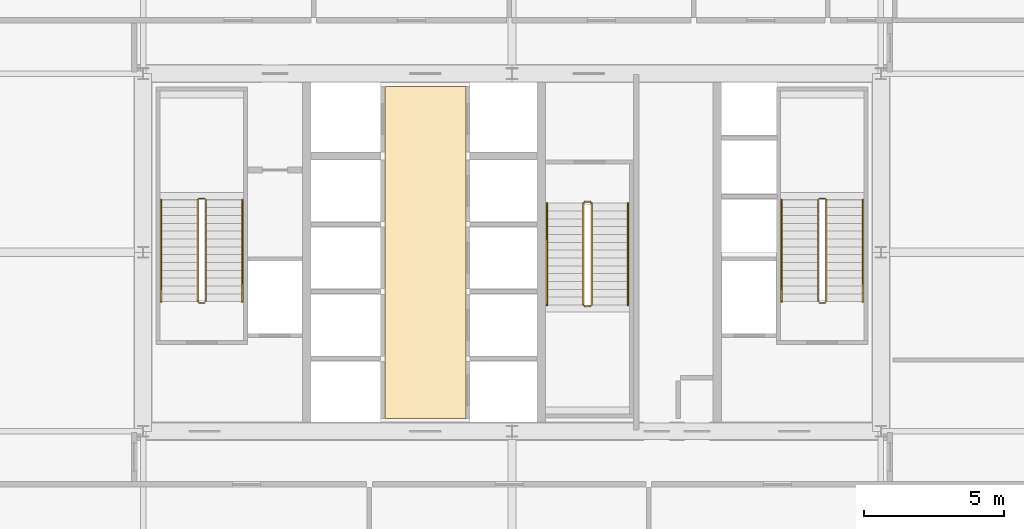
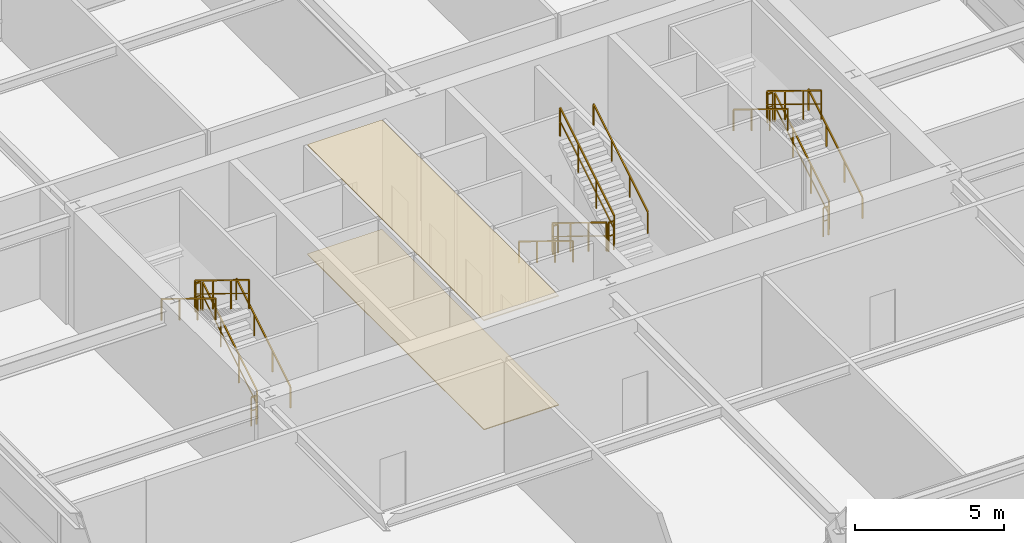
# One storey, part 34 of 34: 18 railings, 2 coverings.
"""IFC4 building model written with IfcOpenShell, lengths in metres."""

import ifcopenshell
import ifcopenshell.guid

model = None  # the IFC model being written
_history = None  # IfcOwnerHistory: only IFC2X3 demands one
_inside = {}  # id of a spatial element -> (the spatial element, [elements in it])
_under = {}  # id of a project, library or spatial element -> (it, [spatial elements below it])
_declared = {}  # id of a project -> (the project, [libraries it declares])
_typed = {}  # id of a type object -> (the type object, [elements of that type])
_made_of = {}  # id of a material, layer set ... -> (it, [elements and type objects made of it])


def new_model(schema):
    """Start an empty IFC model of exactly this schema.

    Asked for "IFC4X3", IfcOpenShell would pick the latest addendum, in which some entities
    have other attributes; the version numbers below select the first issue.
    IFC2X3 requires an IfcOwnerHistory on every rooted entity: one is made here for all.
    """
    global model, _history
    if schema == "IFC4X3":
        model = ifcopenshell.file(schema_version=(4, 3, 0, 0))
    else:
        model = ifcopenshell.file(schema=schema)
    _inside.clear()
    _under.clear()
    _declared.clear()
    _typed.clear()
    _made_of.clear()
    _history = None
    if model.schema == "IFC2X3":
        org = make("IfcOrganization", Name="unknown")
        user = make(
            "IfcPersonAndOrganization",
            ThePerson=make("IfcPerson", FamilyName="unknown"),
            TheOrganization=org,
        )
        app = make(
            "IfcApplication",
            ApplicationDeveloper=org,
            Version="unknown",
            ApplicationFullName="unknown",
            ApplicationIdentifier="unknown",
        )
        _history = make(
            "IfcOwnerHistory",
            OwningUser=user,
            OwningApplication=app,
            ChangeAction="ADDED",
            CreationDate=0,
        )
    return model


def make(cls, **values):
    """One entity of the class cls with the attributes given. An attribute that is None is left unset."""
    return model.create_entity(
        cls, **{name: value for name, value in values.items() if value is not None}
    )


def rooted(cls, **values):
    """An entity with a GlobalId (a new one), such as an element, a storey or a relation."""
    return make(cls, GlobalId=ifcopenshell.guid.new(), OwnerHistory=_history, **values)


def si_unit(unit_type, name, prefix=None):
    """IfcSIUnit, for example si_unit("LENGTHUNIT", "METRE", prefix="MILLI")."""
    return make("IfcSIUnit", UnitType=unit_type, Prefix=prefix, Name=name)


def assignment(units):
    """IfcUnitAssignment: the units of a project."""
    return None if units is None else make("IfcUnitAssignment", Units=units)


def point(xyz):
    """IfcCartesianPoint."""
    return None if xyz is None else make("IfcCartesianPoint", Coordinates=xyz)


def direction(xyz):
    """IfcDirection."""
    return None if xyz is None else make("IfcDirection", DirectionRatios=xyz)


def frame(location, z_axis=None, x_axis=None):
    """IfcAxis2Placement3D, a coordinate frame: its origin and axes. An axis left out is left unset."""
    return make(
        "IfcAxis2Placement3D",
        Location=point(location),
        Axis=direction(z_axis),
        RefDirection=direction(x_axis),
    )


def frame_2d(location, x_axis=None):
    """IfcAxis2Placement2D, a coordinate frame in the plane: its origin and x axis."""
    return make(
        "IfcAxis2Placement2D", Location=point(location), RefDirection=direction(x_axis)
    )


def origin():
    """The frame at (0, 0, 0) with its axes left unset."""
    return frame((0.0, 0.0, 0.0))


def origin_2d():
    """The frame at (0, 0) in the plane with its x axis left unset."""
    return frame_2d((0.0, 0.0))


def place(relative_to, where):
    """IfcLocalPlacement: puts the frame where relative to a parent placement (None: the world)."""
    return make(
        "IfcLocalPlacement", PlacementRelTo=relative_to, RelativePlacement=where
    )


def context(
    kind, dimensions, precision=None, world=None, true_north=None, identifier=None
):
    """IfcGeometricRepresentationContext, for example the 3D "Model" context."""
    return make(
        "IfcGeometricRepresentationContext",
        ContextIdentifier=identifier,
        ContextType=kind,
        CoordinateSpaceDimension=dimensions,
        Precision=precision,
        WorldCoordinateSystem=world,
        TrueNorth=true_north,
    )


def subcontext(parent, identifier, kind, view, scale=None):
    """IfcGeometricRepresentationSubContext, for example "Body" below "Model"."""
    return make(
        "IfcGeometricRepresentationSubContext",
        ContextIdentifier=identifier,
        ContextType=kind,
        ParentContext=parent,
        TargetScale=scale,
        TargetView=view,
    )


def project(units=None, contexts=None):
    """IfcProject with its units and contexts."""
    return rooted(
        "IfcProject",
        Name="project",
        RepresentationContexts=contexts,
        UnitsInContext=assignment(units),
    )


def spatial(cls, under=None, at=None, **own):
    """A site, building, storey or space (cls), placed at a placement, below another one or the project."""
    s = rooted(cls, ObjectPlacement=at, **own)
    if under is not None:
        _under.setdefault(under.id(), (under, []))[1].append(s)
    return s


def polyline(points):
    """IfcPolyline through the points."""
    return make("IfcPolyline", Points=[point(p) for p in points])


def profile(cls, at=None, kind="AREA", **sizes):
    """A parametric profile (cls). Its sizes go by their IFC names, for example OverallWidth=200.0."""
    return make(cls, ProfileType=kind, Position=at, **sizes)


def rectangle(**sizes):
    """IfcRectangleProfileDef."""
    return profile("IfcRectangleProfileDef", **sizes)


def outline(outer, holes=None, kind="AREA"):
    """IfcArbitraryClosedProfileDef: a profile drawn as a closed curve; with holes, ...WithVoids."""
    if holes is None:
        return make("IfcArbitraryClosedProfileDef", ProfileType=kind, OuterCurve=outer)
    return make(
        "IfcArbitraryProfileDefWithVoids",
        ProfileType=kind,
        OuterCurve=outer,
        InnerCurves=holes,
    )


def extrude(swept, where, along, depth):
    """IfcExtrudedAreaSolid: the profile swept, set in the frame where, extruded along a direction by depth."""
    return make(
        "IfcExtrudedAreaSolid",
        SweptArea=swept,
        Position=where,
        ExtrudedDirection=direction(along),
        Depth=depth,
    )


def shape(context_of_items, identifier, shape_type, items):
    """IfcShapeRepresentation: the items that make up one representation, for example the "Body"."""
    return make(
        "IfcShapeRepresentation",
        ContextOfItems=context_of_items,
        RepresentationIdentifier=identifier,
        RepresentationType=shape_type,
        Items=items,
    )


def source(mapping_origin, context_of_items, identifier, shape_type, items):
    """IfcRepresentationMap: a shape defined once, which mapped items show again and again."""
    return make(
        "IfcRepresentationMap",
        MappingOrigin=mapping_origin,
        MappedRepresentation=shape(context_of_items, identifier, shape_type, items),
    )


def transform(
    local_origin,
    x_axis=None,
    y_axis=None,
    z_axis=None,
    scale=None,
    scale2=None,
    scale3=None,
    uniform=True,
):
    """IfcCartesianTransformationOperator3D, or its non-uniform kind. x_axis, y_axis, z_axis: its Axis1, 2, 3."""
    if uniform:
        return make(
            "IfcCartesianTransformationOperator3D",
            Axis1=direction(x_axis),
            Axis2=direction(y_axis),
            LocalOrigin=point(local_origin),
            Scale=scale,
            Axis3=direction(z_axis),
        )
    return make(
        "IfcCartesianTransformationOperator3DnonUniform",
        Axis1=direction(x_axis),
        Axis2=direction(y_axis),
        LocalOrigin=point(local_origin),
        Scale=scale,
        Axis3=direction(z_axis),
        Scale2=scale2,
        Scale3=scale3,
    )


def mapped(mapping_source, mapping_target):
    """IfcMappedItem: shows the shape of a source again, moved by a transform."""
    return make(
        "IfcMappedItem", MappingSource=mapping_source, MappingTarget=mapping_target
    )


def material(Name=None, Category=None):
    """IfcMaterial."""
    return make("IfcMaterial", Name=Name, Category=Category)


def layer(
    of_material, thickness, ventilated=None, Name=None, Category=None, Priority=None
):
    """IfcMaterialLayer: one layer of a wall or slab, of a material (None: an air gap)."""
    return make(
        "IfcMaterialLayer",
        Material=of_material,
        LayerThickness=thickness,
        IsVentilated=ventilated,
        Name=Name,
        Category=Category,
        Priority=Priority,
    )


def layer_set(layers, Name=None):
    """IfcMaterialLayerSet."""
    return make("IfcMaterialLayerSet", MaterialLayers=layers, LayerSetName=Name)


def made_of(thing, what):
    """Note that an element or type object is made of a material, layer set ...; save() writes the relation."""
    if what is not None:
        _made_of.setdefault(what.id(), (what, []))[1].append(thing)
    return thing


def type_object(cls, material=None, **own):
    """A type object (cls), such as IfcWallType, which elements share."""
    return made_of(rooted(cls, **own), material)


def element(
    cls,
    number,
    at=None,
    inside=None,
    cuts=None,
    type_object=None,
    material=None,
    context=None,
    identifier="Body",
    shape_type=None,
    held_by="IfcProductDefinitionShape",
    body=None,
    shapes=None,
    **own,
):
    """One element of the class cls, such as IfcWall. Its Tag is "e" and its number.

    at: its placement. inside: the storey or other place that contains it. cuts: it is an
    opening in that element (IfcRelVoidsElement). A single representation is given by context,
    identifier, shape_type and body (its items); several are given by shapes. held_by: the class
    of the entity that holds the representations. save() writes the other relations.
    """
    e = rooted(cls, Tag="e%d" % number, ObjectPlacement=at, **own)
    if body is not None:
        shapes = [shape(context, identifier, shape_type, body)]
    if shapes is not None:
        e.Representation = make(held_by, Representations=shapes)
    if inside is not None:
        _inside.setdefault(inside.id(), (inside, []))[1].append(e)
    if cuts is not None:
        rooted(
            "IfcRelVoidsElement", RelatingBuildingElement=cuts, RelatedOpeningElement=e
        )
    if type_object is not None:
        _typed.setdefault(type_object.id(), (type_object, []))[1].append(e)
    return made_of(e, material)


def aggregate(whole, parts):
    """IfcRelAggregates: a whole, such as a stair, and the parts it consists of."""
    return rooted("IfcRelAggregates", RelatingObject=whole, RelatedObjects=parts)


def save(model, path):
    """Write the relations noted so far, then the file.

    IfcRelAggregates (storeys below a building ...), IfcRelContainedInSpatialStructure (elements
    in a storey), IfcRelDefinesByType, IfcRelAssociatesMaterial and IfcRelDeclares: one each for
    every whole, place, type object, material and project.
    """
    for whole, parts in _under.values():
        aggregate(whole, parts)
    for where, things in _inside.values():
        rooted(
            "IfcRelContainedInSpatialStructure",
            RelatedElements=things,
            RelatingStructure=where,
        )
    for kind, things in _typed.values():
        rooted("IfcRelDefinesByType", RelatedObjects=things, RelatingType=kind)
    for what, things in _made_of.values():
        rooted("IfcRelAssociatesMaterial", RelatedObjects=things, RelatingMaterial=what)
    for by, libraries in _declared.values():
        rooted("IfcRelDeclares", RelatingContext=by, RelatedDefinitions=libraries)
    model.write(path)


model = new_model("IFC4")

# Units and contexts
model_context = context("Model", 3, precision=1e-05, world=origin(), true_north=direction((0.0, 1.0)))
body_context = subcontext(model_context, "Body", "Model", "MODEL_VIEW")
ifc_project = project(units=[si_unit("LENGTHUNIT", "METRE"), si_unit("AREAUNIT", "SQUARE_METRE"), si_unit("VOLUMEUNIT", "CUBIC_METRE"), si_unit("PLANEANGLEUNIT", "RADIAN"), si_unit("MASSUNIT", "GRAM", prefix="KILO"), si_unit("THERMODYNAMICTEMPERATUREUNIT", "KELVIN"), si_unit("POWERUNIT", "WATT")], contexts=[model_context])

# Site, building, storey
site_placement = place(None, origin())
site = spatial("IfcSite", under=ifc_project, at=site_placement, CompositionType="ELEMENT")
building_placement = place(site_placement, origin())
building = spatial("IfcBuilding", under=site, at=building_placement, Name="Yuzanri Waterfront Tower", CompositionType="ELEMENT")
storey_placement = place(building_placement, frame((0.0, 0.0, 171.60009765625)))
storey = spatial("IfcBuildingStorey", under=building, at=storey_placement, Name="L45", CompositionType="ELEMENT", Elevation=171.60009765625)

# Coverings
ifc_material_1 = material(Name="Anodized Architectural Bronze", Category="metal")
ifc_layer_1 = layer(ifc_material_1, 0.0400390625)
ifc_layer_set_1 = layer_set([ifc_layer_1], Name="Anodized Architectural Bronze")
covering_type_1 = type_object("IfcCoveringType", Name="Anodized Bronze Linear Baffle Lobby Ceiling 40", PredefinedType="CEILING", material=ifc_layer_set_1)
covering_1_placement = place(storey_placement, frame((0.0, 0.0, 4.47998046875)))
element("IfcCovering", 1, at=covering_1_placement, inside=storey, type_object=covering_type_1, Name="L45 Lift Lobby Bronze Baffle Ceiling", PredefinedType="CEILING", context=body_context, shape_type="SweptSolid", body=[
    extrude(outline(polyline([(32.449951171875, 19.860107421875), (35.35009765625, 19.860107421875), (35.35009765625, 31.739990234375), (32.449951171875, 31.739990234375), (32.449951171875, 19.860107421875)])), origin(), (0.0, 0.0, 1.0), 0.0400390625),
])
ifc_material_2 = material(Name="Honed Cream Limestone", Category="masonry")
ifc_layer_2 = layer(ifc_material_2, 0.034912109375)
ifc_layer_set_2 = layer_set([ifc_layer_2], Name="Honed Cream Limestone")
covering_type_2 = type_object("IfcCoveringType", Name="Honed Limestone Lobby Floor Finish 35", PredefinedType="FLOORING", material=ifc_layer_set_2)
covering_2_placement = place(storey_placement, origin())
element("IfcCovering", 2, at=covering_2_placement, inside=storey, type_object=covering_type_2, Name="L45 Lift Lobby Limestone Floor Finish", PredefinedType="FLOORING", context=body_context, shape_type="SweptSolid", body=[
    extrude(outline(polyline([(32.449951171875, 19.860107421875), (35.35009765625, 19.860107421875), (35.35009765625, 31.739990234375), (32.449951171875, 31.739990234375), (32.449951171875, 19.860107421875)])), origin(), (0.0, 0.0, 1.0), 0.034912109375),
])

# Railings
ifc_material_3 = material(Name="Painted Galvanized Fire Steel", Category="steel")
ifc_layer_3 = layer(ifc_material_3, 0.06005859375)
ifc_layer_set_3 = layer_set([ifc_layer_3], Name="Painted Galvanized Fire Steel")
railing_type_1 = type_object("IfcRailingType", Name="Painted Steel Stairwell Guardrail 1120", PredefinedType="GUARDRAIL", material=ifc_layer_set_3)
shared_shape_1 = source(origin(), body_context, "Body", "SweptSolid", [
    extrude(rectangle(XDim=0.050048828125, YDim=0.050048828125, at=origin_2d()), frame((0.0, 0.0, 1.1748046875), z_axis=(-1.0, 0.0, 0.0), x_axis=(0.0, -1.0, 0.0)), (0.0, 0.0, 1.0), 0.199951171875),
    extrude(rectangle(XDim=0.035888671875, YDim=0.030029296875, at=origin_2d()), frame((0.0, 0.0, 0.6240234375), z_axis=(-1.0, 0.0, 0.0), x_axis=(0.0, -1.0, 0.0)), (0.0, 0.0, 1.0), 0.199951171875),
    extrude(rectangle(XDim=0.0458984375, YDim=0.0458984375, at=origin_2d()), origin(), (0.0, 0.0, 1.0), 1.14990234375),
    extrude(rectangle(XDim=0.0458984375, YDim=0.0458984375, at=origin_2d()), frame((-0.199951171875, 0.0, 0.0)), (0.0, 0.0, 1.0), 1.14990234375),
])
for number, where, name in (
    (3, (26.0, 27.72998046875, 2.39990234375), "L45 ST-01 stair guard 2"),
    (4, (26.0, 23.989990234375, 0.0), "L45 ST-01 stair guard 4"),
    (5, (48.199951171875, 27.72998046875, 2.39990234375), "L45 ST-02 stair guard 2"),
    (6, (48.199951171875, 23.989990234375, 0.0), "L45 ST-02 stair guard 4"),
):
    element("IfcRailing", number, at=place(storey_placement, frame(where)), inside=storey, type_object=railing_type_1, Name=name, PredefinedType="GUARDRAIL", context=body_context, shape_type="MappedRepresentation", body=[
        mapped(shared_shape_1, transform((0.0, 0.0, 0.0), scale=1.0)),
    ])
shared_shape_2 = source(origin(), body_context, "Body", "SweptSolid", [
    extrude(rectangle(XDim=0.050048828125, YDim=0.050048828125, at=origin_2d()), frame((0.0, 0.0, 1.1748046875), z_axis=(0.0, 0.852850264322, 0.5221555579), x_axis=(-1.0, 0.0, 0.0)), (0.0, 0.0, 1.0), 4.267822265625),
    extrude(rectangle(XDim=0.035888671875, YDim=0.030029296875, at=origin_2d()), frame((0.0, 0.0, 0.6240234375), z_axis=(0.0, 0.852850264322, 0.5221555579), x_axis=(-1.0, 0.0, 0.0)), (0.0, 0.0, 1.0), 4.267822265625),
    extrude(rectangle(XDim=0.0458984375, YDim=0.0458984375, at=origin_2d()), origin(), (0.0, 0.0, 1.0), 1.14990234375),
    extrude(rectangle(XDim=0.0458984375, YDim=0.0458984375, at=origin_2d()), frame((0.0, 1.21337890625, 0.742919921875)), (0.0, 0.0, 1.0), 1.14990234375),
    extrude(rectangle(XDim=0.0458984375, YDim=0.0458984375, at=origin_2d()), frame((0.0, 2.426513671875, 1.485595703125)), (0.0, 0.0, 1.0), 1.14990234375),
    extrude(rectangle(XDim=0.0458984375, YDim=0.0458984375, at=origin_2d()), frame((0.0, 3.639892578125, 2.228515625)), (0.0, 0.0, 1.0), 1.14990234375),
])
for number, where, name in (
    (7, (26.050048828125, 24.0400390625, 0.17138671875), "L45 ST-01 stair guard 1"),
    (8, (48.25, 24.0400390625, 0.17138671875), "L45 ST-02 stair guard 1"),
):
    element("IfcRailing", number, at=place(storey_placement, frame(where)), inside=storey, type_object=railing_type_1, Name=name, PredefinedType="GUARDRAIL", context=body_context, shape_type="MappedRepresentation", body=[
        mapped(shared_shape_2, transform((0.0, 0.0, 0.0), scale=1.0)),
    ])
shared_shape_3 = source(origin(), body_context, "Body", "SweptSolid", [
    extrude(rectangle(XDim=0.050048828125, YDim=0.050048828125, at=origin_2d()), frame((0.0, 0.0, 1.1748046875), z_axis=(0.0, -0.852850264322, 0.5221555579), x_axis=(1.0, 0.0, 0.0)), (0.0, 0.0, 1.0), 4.267822265625),
    extrude(rectangle(XDim=0.035888671875, YDim=0.030029296875, at=origin_2d()), frame((0.0, 0.0, 0.6240234375), z_axis=(0.0, -0.852850264322, 0.5221555579), x_axis=(1.0, 0.0, 0.0)), (0.0, 0.0, 1.0), 4.267822265625),
    extrude(rectangle(XDim=0.0458984375, YDim=0.0458984375, at=origin_2d()), origin(), (0.0, 0.0, 1.0), 1.14990234375),
    extrude(rectangle(XDim=0.0458984375, YDim=0.0458984375, at=origin_2d()), frame((0.0, -1.21337890625, 0.742919921875)), (0.0, 0.0, 1.0), 1.14990234375),
    extrude(rectangle(XDim=0.0458984375, YDim=0.0458984375, at=origin_2d()), frame((0.0, -2.426513671875, 1.485595703125)), (0.0, 0.0, 1.0), 1.14990234375),
    extrude(rectangle(XDim=0.0458984375, YDim=0.0458984375, at=origin_2d()), frame((0.0, -3.639892578125, 2.228515625)), (0.0, 0.0, 1.0), 1.14990234375),
])
for number, where, name in (
    (9, (25.75, 27.679931640625, 2.5712890625), "L45 ST-01 stair guard 3"),
    (10, (47.949951171875, 27.679931640625, 2.5712890625), "L45 ST-02 stair guard 3"),
):
    element("IfcRailing", number, at=place(storey_placement, frame(where)), inside=storey, type_object=railing_type_1, Name=name, PredefinedType="GUARDRAIL", context=body_context, shape_type="MappedRepresentation", body=[
        mapped(shared_shape_3, transform((0.0, 0.0, 0.0), scale=1.0)),
    ])
ifc_material_4 = material(Name="Anodized Architectural Bronze", Category="metal")
ifc_layer_4 = layer(ifc_material_4, 0.050048828125)
ifc_layer_set_4 = layer_set([ifc_layer_4], Name="Anodized Architectural Bronze")
railing_type_2 = type_object("IfcRailingType", Name="Brushed Bronze Stair Pitch Handrail 920", PredefinedType="HANDRAIL", material=ifc_layer_set_4)
shared_shape_4 = source(origin(), body_context, "Body", "SweptSolid", [
    extrude(rectangle(XDim=0.050048828125, YDim=0.050048828125, at=origin_2d()), frame((0.0, 0.0, 0.875), z_axis=(0.0, 0.852850264322, 0.5221555579), x_axis=(-1.0, 0.0, 0.0)), (0.0, 0.0, 1.0), 4.267822265625),
    extrude(rectangle(XDim=0.0458984375, YDim=0.0458984375, at=origin_2d()), origin(), (0.0, 0.0, 1.0), 0.849853515625),
    extrude(rectangle(XDim=0.0458984375, YDim=0.0458984375, at=origin_2d()), frame((0.0, 1.21337890625, 0.742919921875)), (0.0, 0.0, 1.0), 0.849853515625),
    extrude(rectangle(XDim=0.0458984375, YDim=0.0458984375, at=origin_2d()), frame((0.0, 2.426513671875, 1.485595703125)), (0.0, 0.0, 1.0), 0.849853515625),
    extrude(rectangle(XDim=0.0458984375, YDim=0.0458984375, at=origin_2d()), frame((0.0, 3.639892578125, 2.228515625)), (0.0, 0.0, 1.0), 0.849853515625),
])
for number, where, name in (
    (11, (27.35009765625, 24.0400390625, 0.17138671875), "L45 ST-01 stair handrail 1"),
    (12, (49.550048828125, 24.0400390625, 0.17138671875), "L45 ST-02 stair handrail 1"),
):
    element("IfcRailing", number, at=place(storey_placement, frame(where)), inside=storey, type_object=railing_type_2, Name=name, PredefinedType="HANDRAIL", context=body_context, shape_type="MappedRepresentation", body=[
        mapped(shared_shape_4, transform((0.0, 0.0, 0.0), scale=1.0)),
    ])
shared_shape_5 = source(origin(), body_context, "Body", "SweptSolid", [
    extrude(rectangle(XDim=0.050048828125, YDim=0.050048828125, at=origin_2d()), frame((0.0, 0.0, 0.875), z_axis=(0.0, -0.852850264322, 0.5221555579), x_axis=(1.0, 0.0, 0.0)), (0.0, 0.0, 1.0), 4.267822265625),
    extrude(rectangle(XDim=0.0458984375, YDim=0.0458984375, at=origin_2d()), origin(), (0.0, 0.0, 1.0), 0.849853515625),
    extrude(rectangle(XDim=0.0458984375, YDim=0.0458984375, at=origin_2d()), frame((0.0, -1.21337890625, 0.742919921875)), (0.0, 0.0, 1.0), 0.849853515625),
    extrude(rectangle(XDim=0.0458984375, YDim=0.0458984375, at=origin_2d()), frame((0.0, -2.426513671875, 1.485595703125)), (0.0, 0.0, 1.0), 0.849853515625),
    extrude(rectangle(XDim=0.0458984375, YDim=0.0458984375, at=origin_2d()), frame((0.0, -3.639892578125, 2.228515625)), (0.0, 0.0, 1.0), 0.849853515625),
])
for number, where, name in (
    (13, (24.449951171875, 27.679931640625, 2.5712890625), "L45 ST-01 stair handrail 2"),
    (14, (46.64990234375, 27.679931640625, 2.5712890625), "L45 ST-02 stair handrail 2"),
):
    element("IfcRailing", number, at=place(storey_placement, frame(where)), inside=storey, type_object=railing_type_2, Name=name, PredefinedType="HANDRAIL", context=body_context, shape_type="MappedRepresentation", body=[
        mapped(shared_shape_5, transform((0.0, 0.0, 0.0), scale=1.0)),
    ])
shared_shape_6 = source(origin(), body_context, "Body", "SweptSolid", [
    extrude(rectangle(XDim=0.050048828125, YDim=0.050048828125, at=origin_2d()), frame((0.0, 0.0, 1.1748046875), z_axis=(1.0, 0.0, 0.0), x_axis=(0.0, 1.0, 0.0)), (0.0, 0.0, 1.0), 0.199951171875),
    extrude(rectangle(XDim=0.035888671875, YDim=0.030029296875, at=origin_2d()), frame((0.0, 0.0, 0.6240234375), z_axis=(1.0, 0.0, 0.0), x_axis=(0.0, 1.0, 0.0)), (0.0, 0.0, 1.0), 0.199951171875),
    extrude(rectangle(XDim=0.0458984375, YDim=0.0458984375, at=origin_2d()), origin(), (0.0, 0.0, 1.0), 1.14990234375),
    extrude(rectangle(XDim=0.0458984375, YDim=0.0458984375, at=origin_2d()), frame((0.199951171875, 0.0, 0.0)), (0.0, 0.0, 1.0), 1.14990234375),
])
for number, where, name in (
    (15, (39.60009765625, 23.8701171875, 2.39990234375), "L45 ST-03 stair guard 2"),
    (16, (39.60009765625, 27.610107421875, 0.0), "L45 ST-03 stair guard 4"),
):
    element("IfcRailing", number, at=place(storey_placement, frame(where)), inside=storey, type_object=railing_type_1, Name=name, PredefinedType="GUARDRAIL", context=body_context, shape_type="MappedRepresentation", body=[
        mapped(shared_shape_6, transform((0.0, 0.0, 0.0), scale=1.0)),
    ])
shared_shape_7 = source(origin(), body_context, "Body", "SweptSolid", [
    extrude(rectangle(XDim=0.050048828125, YDim=0.050048828125, at=origin_2d()), frame((0.0, 0.0, 1.1748046875), z_axis=(0.0, -0.852865859571, 0.52213008492), x_axis=(1.0, 0.0, 0.0)), (0.0, 0.0, 1.0), 4.26806640625),
    extrude(rectangle(XDim=0.035888671875, YDim=0.030029296875, at=origin_2d()), frame((0.0, 0.0, 0.6240234375), z_axis=(0.0, -0.852865859571, 0.52213008492), x_axis=(1.0, 0.0, 0.0)), (0.0, 0.0, 1.0), 4.26806640625),
    extrude(rectangle(XDim=0.0458984375, YDim=0.0458984375, at=origin_2d()), origin(), (0.0, 0.0, 1.0), 1.14990234375),
    extrude(rectangle(XDim=0.0458984375, YDim=0.0458984375, at=origin_2d()), frame((0.0, -1.21337890625, 0.742919921875)), (0.0, 0.0, 1.0), 1.14990234375),
    extrude(rectangle(XDim=0.0458984375, YDim=0.0458984375, at=origin_2d()), frame((0.0, -2.4267578125, 1.485595703125)), (0.0, 0.0, 1.0), 1.14990234375),
    extrude(rectangle(XDim=0.0458984375, YDim=0.0458984375, at=origin_2d()), frame((0.0, -3.64013671875, 2.228515625)), (0.0, 0.0, 1.0), 1.14990234375),
])
railing_1_placement = place(storey_placement, frame((39.550048828125, 27.56005859375, 0.17138671875)))
element("IfcRailing", 17, at=railing_1_placement, inside=storey, type_object=railing_type_1, Name="L45 ST-03 stair guard 1", PredefinedType="GUARDRAIL", context=body_context, shape_type="MappedRepresentation", body=[
    mapped(shared_shape_7, transform((0.0, 0.0, 0.0), scale=1.0)),
])
shared_shape_8 = source(origin(), body_context, "Body", "SweptSolid", [
    extrude(rectangle(XDim=0.050048828125, YDim=0.050048828125, at=origin_2d()), frame((0.0, 0.0, 1.1748046875), z_axis=(0.0, 0.852865859571, 0.52213008492), x_axis=(-1.0, 0.0, 0.0)), (0.0, 0.0, 1.0), 4.26806640625),
    extrude(rectangle(XDim=0.035888671875, YDim=0.030029296875, at=origin_2d()), frame((0.0, 0.0, 0.6240234375), z_axis=(0.0, 0.852865859571, 0.52213008492), x_axis=(-1.0, 0.0, 0.0)), (0.0, 0.0, 1.0), 4.26806640625),
    extrude(rectangle(XDim=0.0458984375, YDim=0.0458984375, at=origin_2d()), origin(), (0.0, 0.0, 1.0), 1.14990234375),
    extrude(rectangle(XDim=0.0458984375, YDim=0.0458984375, at=origin_2d()), frame((0.0, 1.21337890625, 0.742919921875)), (0.0, 0.0, 1.0), 1.14990234375),
    extrude(rectangle(XDim=0.0458984375, YDim=0.0458984375, at=origin_2d()), frame((0.0, 2.4267578125, 1.485595703125)), (0.0, 0.0, 1.0), 1.14990234375),
    extrude(rectangle(XDim=0.0458984375, YDim=0.0458984375, at=origin_2d()), frame((0.0, 3.64013671875, 2.228515625)), (0.0, 0.0, 1.0), 1.14990234375),
])
railing_2_placement = place(storey_placement, frame((39.85009765625, 23.919921875, 2.5712890625)))
element("IfcRailing", 18, at=railing_2_placement, inside=storey, type_object=railing_type_1, Name="L45 ST-03 stair guard 3", PredefinedType="GUARDRAIL", context=body_context, shape_type="MappedRepresentation", body=[
    mapped(shared_shape_8, transform((0.0, 0.0, 0.0), scale=1.0)),
])
shared_shape_9 = source(origin(), body_context, "Body", "SweptSolid", [
    extrude(rectangle(XDim=0.050048828125, YDim=0.050048828125, at=origin_2d()), frame((0.0, 0.0, 0.875), z_axis=(0.0, -0.852865859571, 0.52213008492), x_axis=(1.0, 0.0, 0.0)), (0.0, 0.0, 1.0), 4.26806640625),
    extrude(rectangle(XDim=0.0458984375, YDim=0.0458984375, at=origin_2d()), origin(), (0.0, 0.0, 1.0), 0.849853515625),
    extrude(rectangle(XDim=0.0458984375, YDim=0.0458984375, at=origin_2d()), frame((0.0, -1.21337890625, 0.742919921875)), (0.0, 0.0, 1.0), 0.849853515625),
    extrude(rectangle(XDim=0.0458984375, YDim=0.0458984375, at=origin_2d()), frame((0.0, -2.4267578125, 1.485595703125)), (0.0, 0.0, 1.0), 0.849853515625),
    extrude(rectangle(XDim=0.0458984375, YDim=0.0458984375, at=origin_2d()), frame((0.0, -3.64013671875, 2.228515625)), (0.0, 0.0, 1.0), 0.849853515625),
])
railing_3_placement = place(storey_placement, frame((38.25, 27.56005859375, 0.17138671875)))
element("IfcRailing", 19, at=railing_3_placement, inside=storey, type_object=railing_type_2, Name="L45 ST-03 stair handrail 1", PredefinedType="HANDRAIL", context=body_context, shape_type="MappedRepresentation", body=[
    mapped(shared_shape_9, transform((0.0, 0.0, 0.0), scale=1.0)),
])
shared_shape_10 = source(origin(), body_context, "Body", "SweptSolid", [
    extrude(rectangle(XDim=0.050048828125, YDim=0.050048828125, at=origin_2d()), frame((0.0, 0.0, 0.875), z_axis=(0.0, 0.852865859571, 0.52213008492), x_axis=(-1.0, 0.0, 0.0)), (0.0, 0.0, 1.0), 4.26806640625),
    extrude(rectangle(XDim=0.0458984375, YDim=0.0458984375, at=origin_2d()), origin(), (0.0, 0.0, 1.0), 0.849853515625),
    extrude(rectangle(XDim=0.0458984375, YDim=0.0458984375, at=origin_2d()), frame((0.0, 1.21337890625, 0.742919921875)), (0.0, 0.0, 1.0), 0.849853515625),
    extrude(rectangle(XDim=0.0458984375, YDim=0.0458984375, at=origin_2d()), frame((0.0, 2.4267578125, 1.485595703125)), (0.0, 0.0, 1.0), 0.849853515625),
    extrude(rectangle(XDim=0.0458984375, YDim=0.0458984375, at=origin_2d()), frame((0.0, 3.64013671875, 2.228515625)), (0.0, 0.0, 1.0), 0.849853515625),
])
railing_4_placement = place(storey_placement, frame((41.14990234375, 23.919921875, 2.5712890625)))
element("IfcRailing", 20, at=railing_4_placement, inside=storey, type_object=railing_type_2, Name="L45 ST-03 stair handrail 2", PredefinedType="HANDRAIL", context=body_context, shape_type="MappedRepresentation", body=[
    mapped(shared_shape_10, transform((0.0, 0.0, 0.0), scale=1.0)),
])

save(model, "model.ifc")
